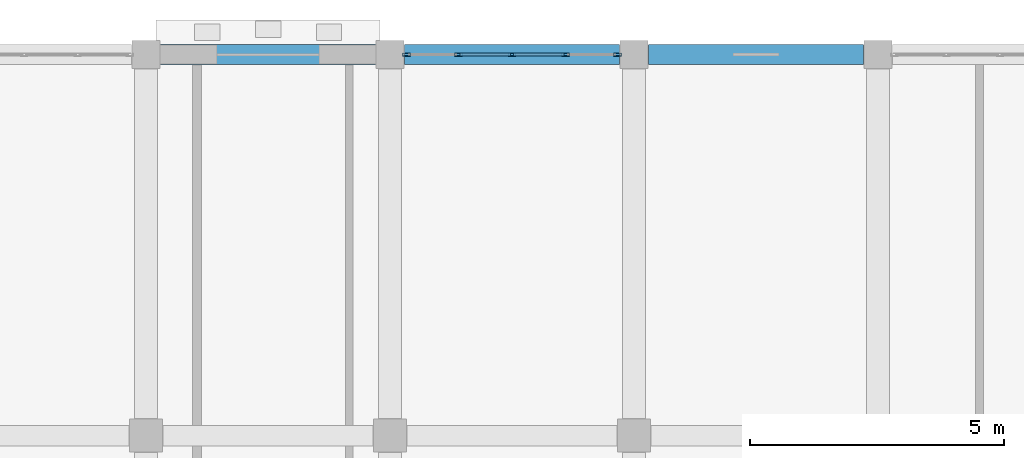
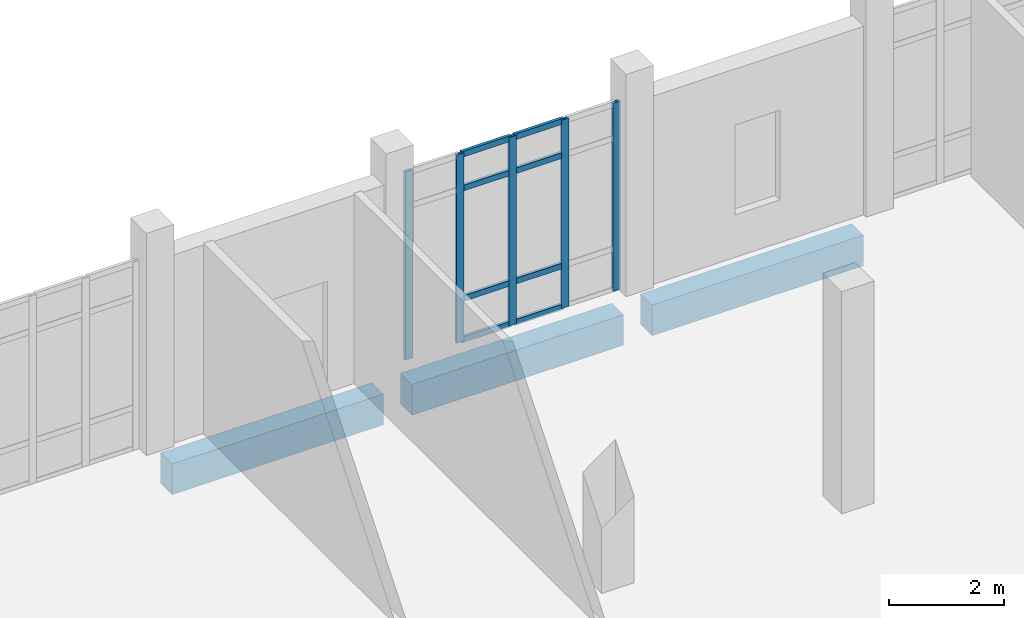
# One storey, part 82 of 173: 13 members, 3 beams, 1 element without a shape of its own.
"""IFC4 building model written with IfcOpenShell, lengths in metres."""

import ifcopenshell
import ifcopenshell.guid

model = None  # the IFC model being written
_history = None  # IfcOwnerHistory: only IFC2X3 demands one
_inside = {}  # id of a spatial element -> (the spatial element, [elements in it])
_under = {}  # id of a project, library or spatial element -> (it, [spatial elements below it])
_declared = {}  # id of a project -> (the project, [libraries it declares])
_typed = {}  # id of a type object -> (the type object, [elements of that type])
_made_of = {}  # id of a material, layer set ... -> (it, [elements and type objects made of it])


def new_model(schema):
    """Start an empty IFC model of exactly this schema.

    Asked for "IFC4X3", IfcOpenShell would pick the latest addendum, in which some entities
    have other attributes; the version numbers below select the first issue.
    IFC2X3 requires an IfcOwnerHistory on every rooted entity: one is made here for all.
    """
    global model, _history
    if schema == "IFC4X3":
        model = ifcopenshell.file(schema_version=(4, 3, 0, 0))
    else:
        model = ifcopenshell.file(schema=schema)
    _inside.clear()
    _under.clear()
    _declared.clear()
    _typed.clear()
    _made_of.clear()
    _history = None
    if model.schema == "IFC2X3":
        org = make("IfcOrganization", Name="unknown")
        user = make(
            "IfcPersonAndOrganization",
            ThePerson=make("IfcPerson", FamilyName="unknown"),
            TheOrganization=org,
        )
        app = make(
            "IfcApplication",
            ApplicationDeveloper=org,
            Version="unknown",
            ApplicationFullName="unknown",
            ApplicationIdentifier="unknown",
        )
        _history = make(
            "IfcOwnerHistory",
            OwningUser=user,
            OwningApplication=app,
            ChangeAction="ADDED",
            CreationDate=0,
        )
    return model


def make(cls, **values):
    """One entity of the class cls with the attributes given. An attribute that is None is left unset."""
    return model.create_entity(
        cls, **{name: value for name, value in values.items() if value is not None}
    )


def rooted(cls, **values):
    """An entity with a GlobalId (a new one), such as an element, a storey or a relation."""
    return make(cls, GlobalId=ifcopenshell.guid.new(), OwnerHistory=_history, **values)


def si_unit(unit_type, name, prefix=None):
    """IfcSIUnit, for example si_unit("LENGTHUNIT", "METRE", prefix="MILLI")."""
    return make("IfcSIUnit", UnitType=unit_type, Prefix=prefix, Name=name)


def assignment(units):
    """IfcUnitAssignment: the units of a project."""
    return None if units is None else make("IfcUnitAssignment", Units=units)


def point(xyz):
    """IfcCartesianPoint."""
    return None if xyz is None else make("IfcCartesianPoint", Coordinates=xyz)


def direction(xyz):
    """IfcDirection."""
    return None if xyz is None else make("IfcDirection", DirectionRatios=xyz)


def frame(location, z_axis=None, x_axis=None):
    """IfcAxis2Placement3D, a coordinate frame: its origin and axes. An axis left out is left unset."""
    return make(
        "IfcAxis2Placement3D",
        Location=point(location),
        Axis=direction(z_axis),
        RefDirection=direction(x_axis),
    )


def frame_2d(location, x_axis=None):
    """IfcAxis2Placement2D, a coordinate frame in the plane: its origin and x axis."""
    return make(
        "IfcAxis2Placement2D", Location=point(location), RefDirection=direction(x_axis)
    )


def origin():
    """The frame at (0, 0, 0) with its axes left unset."""
    return frame((0.0, 0.0, 0.0))


def origin_2d():
    """The frame at (0, 0) in the plane with its x axis left unset."""
    return frame_2d((0.0, 0.0))


def place(relative_to, where):
    """IfcLocalPlacement: puts the frame where relative to a parent placement (None: the world)."""
    return make(
        "IfcLocalPlacement", PlacementRelTo=relative_to, RelativePlacement=where
    )


def context(
    kind, dimensions, precision=None, world=None, true_north=None, identifier=None
):
    """IfcGeometricRepresentationContext, for example the 3D "Model" context."""
    return make(
        "IfcGeometricRepresentationContext",
        ContextIdentifier=identifier,
        ContextType=kind,
        CoordinateSpaceDimension=dimensions,
        Precision=precision,
        WorldCoordinateSystem=world,
        TrueNorth=true_north,
    )


def subcontext(parent, identifier, kind, view, scale=None):
    """IfcGeometricRepresentationSubContext, for example "Body" below "Model"."""
    return make(
        "IfcGeometricRepresentationSubContext",
        ContextIdentifier=identifier,
        ContextType=kind,
        ParentContext=parent,
        TargetScale=scale,
        TargetView=view,
    )


def project(units=None, contexts=None):
    """IfcProject with its units and contexts."""
    return rooted(
        "IfcProject",
        Name="project",
        RepresentationContexts=contexts,
        UnitsInContext=assignment(units),
    )


def spatial(cls, under=None, at=None, **own):
    """A site, building, storey or space (cls), placed at a placement, below another one or the project."""
    s = rooted(cls, ObjectPlacement=at, **own)
    if under is not None:
        _under.setdefault(under.id(), (under, []))[1].append(s)
    return s


def profile(cls, at=None, kind="AREA", **sizes):
    """A parametric profile (cls). Its sizes go by their IFC names, for example OverallWidth=200.0."""
    return make(cls, ProfileType=kind, Position=at, **sizes)


def rectangle(**sizes):
    """IfcRectangleProfileDef."""
    return profile("IfcRectangleProfileDef", **sizes)


def hollow_rectangle(**sizes):
    """IfcRectangleHollowProfileDef."""
    return profile("IfcRectangleHollowProfileDef", **sizes)


def extrude(swept, where, along, depth):
    """IfcExtrudedAreaSolid: the profile swept, set in the frame where, extruded along a direction by depth."""
    return make(
        "IfcExtrudedAreaSolid",
        SweptArea=swept,
        Position=where,
        ExtrudedDirection=direction(along),
        Depth=depth,
    )


def shape(context_of_items, identifier, shape_type, items):
    """IfcShapeRepresentation: the items that make up one representation, for example the "Body"."""
    return make(
        "IfcShapeRepresentation",
        ContextOfItems=context_of_items,
        RepresentationIdentifier=identifier,
        RepresentationType=shape_type,
        Items=items,
    )


def material(Name=None, Category=None):
    """IfcMaterial."""
    return make("IfcMaterial", Name=Name, Category=Category)


def layer(
    of_material, thickness, ventilated=None, Name=None, Category=None, Priority=None
):
    """IfcMaterialLayer: one layer of a wall or slab, of a material (None: an air gap)."""
    return make(
        "IfcMaterialLayer",
        Material=of_material,
        LayerThickness=thickness,
        IsVentilated=ventilated,
        Name=Name,
        Category=Category,
        Priority=Priority,
    )


def layer_set(layers, Name=None):
    """IfcMaterialLayerSet."""
    return make("IfcMaterialLayerSet", MaterialLayers=layers, LayerSetName=Name)


def material_profile(
    of_material, cross_section, Name=None, Category=None, Priority=None
):
    """IfcMaterialProfile: a cross section and its material."""
    return make(
        "IfcMaterialProfile",
        Name=Name,
        Material=of_material,
        Profile=cross_section,
        Priority=Priority,
        Category=Category,
    )


def profile_set(profiles, Name=None, composite=None):
    """IfcMaterialProfileSet."""
    return make(
        "IfcMaterialProfileSet",
        Name=Name,
        MaterialProfiles=profiles,
        CompositeProfile=composite,
    )


def made_of(thing, what):
    """Note that an element or type object is made of a material, layer set ...; save() writes the relation."""
    if what is not None:
        _made_of.setdefault(what.id(), (what, []))[1].append(thing)
    return thing


def type_object(cls, material=None, **own):
    """A type object (cls), such as IfcWallType, which elements share."""
    return made_of(rooted(cls, **own), material)


def element(
    cls,
    number,
    at=None,
    inside=None,
    cuts=None,
    type_object=None,
    material=None,
    context=None,
    identifier="Body",
    shape_type=None,
    held_by="IfcProductDefinitionShape",
    body=None,
    shapes=None,
    **own,
):
    """One element of the class cls, such as IfcWall. Its Tag is "e" and its number.

    at: its placement. inside: the storey or other place that contains it. cuts: it is an
    opening in that element (IfcRelVoidsElement). A single representation is given by context,
    identifier, shape_type and body (its items); several are given by shapes. held_by: the class
    of the entity that holds the representations. save() writes the other relations.
    """
    e = rooted(cls, Tag="e%d" % number, ObjectPlacement=at, **own)
    if body is not None:
        shapes = [shape(context, identifier, shape_type, body)]
    if shapes is not None:
        e.Representation = make(held_by, Representations=shapes)
    if inside is not None:
        _inside.setdefault(inside.id(), (inside, []))[1].append(e)
    if cuts is not None:
        rooted(
            "IfcRelVoidsElement", RelatingBuildingElement=cuts, RelatedOpeningElement=e
        )
    if type_object is not None:
        _typed.setdefault(type_object.id(), (type_object, []))[1].append(e)
    return made_of(e, material)


def aggregate(whole, parts):
    """IfcRelAggregates: a whole, such as a stair, and the parts it consists of."""
    return rooted("IfcRelAggregates", RelatingObject=whole, RelatedObjects=parts)


def save(model, path):
    """Write the relations noted so far, then the file.

    IfcRelAggregates (storeys below a building ...), IfcRelContainedInSpatialStructure (elements
    in a storey), IfcRelDefinesByType, IfcRelAssociatesMaterial and IfcRelDeclares: one each for
    every whole, place, type object, material and project.
    """
    for whole, parts in _under.values():
        aggregate(whole, parts)
    for where, things in _inside.values():
        rooted(
            "IfcRelContainedInSpatialStructure",
            RelatedElements=things,
            RelatingStructure=where,
        )
    for kind, things in _typed.values():
        rooted("IfcRelDefinesByType", RelatedObjects=things, RelatingType=kind)
    for what, things in _made_of.values():
        rooted("IfcRelAssociatesMaterial", RelatedObjects=things, RelatingMaterial=what)
    for by, libraries in _declared.values():
        rooted("IfcRelDeclares", RelatingContext=by, RelatedDefinitions=libraries)
    model.write(path)


model = new_model("IFC4")

# Units and contexts
model_context = context("Model", 3, precision=1e-05, world=origin(), true_north=direction((0.0, 1.0)))
body_context = subcontext(model_context, "Body", "Model", "MODEL_VIEW")
ifc_project = project(units=[si_unit("LENGTHUNIT", "METRE"), si_unit("AREAUNIT", "SQUARE_METRE"), si_unit("VOLUMEUNIT", "CUBIC_METRE"), si_unit("PLANEANGLEUNIT", "RADIAN"), si_unit("MASSUNIT", "GRAM", prefix="KILO")], contexts=[model_context])

# Site, building, storey
site_placement = place(None, origin())
site = spatial("IfcSite", under=ifc_project, at=site_placement, CompositionType="ELEMENT")
building_placement = place(site_placement, origin())
building = spatial("IfcBuilding", under=site, at=building_placement, Name="Mawjan Specialist Oncology Clinic", CompositionType="ELEMENT")
storey_placement = place(building_placement, origin())
storey = spatial("IfcBuildingStorey", under=building, at=storey_placement, Name="L00", CompositionType="ELEMENT", Elevation=0.0)

# Curtain wall, members
ifc_material_1 = material(Name="Unitised spectrally selective aluminium curtain wall", Category="aluminium")
ifc_layer = layer(ifc_material_1, 0.179931640625, Name="Unitised spectrally selective aluminium curtain wall", Category="aluminium")
ifc_layer_set = layer_set([ifc_layer], Name="Unitised spectrally selective aluminium curtain wall")
curtain_wall_type = type_object("IfcCurtainWallType", Name="CW-13", PredefinedType="NOTDEFINED", material=ifc_layer_set)
curtain_wall_placement = place(storey_placement, origin())
curtain_wall = element("IfcCurtainWall", 1, at=curtain_wall_placement, inside=storey, type_object=curtain_wall_type, Name="L00 Unitised Curtain Wall CW-L00-024", PredefinedType="NOTDEFINED")
ifc_material_2 = material(Name="Thermally broken aluminium 6063-T6", Category="aluminium")
ifc_material_profile_1 = material_profile(ifc_material_2, hollow_rectangle(XDim=0.06005859375, YDim=0.14990234375, WallThickness=0.00390625, at=origin_2d()), Name="ALU MULLION 150x60x4", Category="aluminium")
ifc_profile_set_1 = profile_set([ifc_material_profile_1], Name="Thermally broken aluminium 6063-T6")
member_type_1 = type_object("IfcMemberType", Name="CW-M150", PredefinedType="MULLION", material=ifc_profile_set_1)
member_1_placement = place(storey_placement, frame((84.324951171875, 113.300048828125, 0.0), z_axis=(0.0, 0.0, 1.0), x_axis=(0.0, 1.0, 0.0)))
member_1 = element("IfcMember", 2, at=member_1_placement, type_object=member_type_1, Name="CW-13 mullion 1", PredefinedType="MULLION", context=body_context, shape_type="SweptSolid", body=[
    extrude(hollow_rectangle(XDim=0.06005859375, YDim=0.14990234375, WallThickness=0.00390625, at=origin_2d()), origin(), (0.0, 0.0, 1.0), 3.985107421875),
])
member_2_placement = place(storey_placement, frame((85.347412109375, 113.300048828125, 0.0), z_axis=(0.0, 0.0, 1.0), x_axis=(0.0, 1.0, 0.0)))
member_2 = element("IfcMember", 3, at=member_2_placement, type_object=member_type_1, Name="CW-13 mullion 2", PredefinedType="MULLION", context=body_context, shape_type="SweptSolid", body=[
    extrude(hollow_rectangle(XDim=0.06005859375, YDim=0.14990234375, WallThickness=0.00390625, at=origin_2d()), origin(), (0.0, 0.0, 1.0), 3.985107421875),
])
member_3_placement = place(storey_placement, frame((86.39990234375, 113.300048828125, 0.0), z_axis=(0.0, 0.0, 1.0), x_axis=(0.0, 1.0, 0.0)))
member_3 = element("IfcMember", 4, at=member_3_placement, type_object=member_type_1, Name="CW-13 mullion 3", PredefinedType="MULLION", context=body_context, shape_type="SweptSolid", body=[
    extrude(hollow_rectangle(XDim=0.06005859375, YDim=0.14990234375, WallThickness=0.00390625, at=origin_2d()), origin(), (0.0, 0.0, 1.0), 3.985107421875),
])
member_4_placement = place(storey_placement, frame((87.452392578125, 113.300048828125, 0.0), z_axis=(0.0, 0.0, 1.0), x_axis=(0.0, 1.0, 0.0)))
member_4 = element("IfcMember", 5, at=member_4_placement, type_object=member_type_1, Name="CW-13 mullion 4", PredefinedType="MULLION", context=body_context, shape_type="SweptSolid", body=[
    extrude(hollow_rectangle(XDim=0.06005859375, YDim=0.14990234375, WallThickness=0.00390625, at=origin_2d()), origin(), (0.0, 0.0, 1.0), 3.985107421875),
])
member_5_placement = place(storey_placement, frame((88.47509765625, 113.300048828125, 0.0), z_axis=(0.0, 0.0, 1.0), x_axis=(0.0, 1.0, 0.0)))
member_5 = element("IfcMember", 6, at=member_5_placement, type_object=member_type_1, Name="CW-13 mullion 5", PredefinedType="MULLION", context=body_context, shape_type="SweptSolid", body=[
    extrude(hollow_rectangle(XDim=0.06005859375, YDim=0.14990234375, WallThickness=0.00390625, at=origin_2d()), origin(), (0.0, 0.0, 1.0), 3.985107421875),
])
ifc_material_3 = material(Name="Thermally broken aluminium 6063-T6", Category="aluminium")
ifc_material_profile_2 = material_profile(ifc_material_3, hollow_rectangle(XDim=0.06005859375, YDim=0.1201171875, WallThickness=0.00390625, at=origin_2d()), Name="ALU TRANSOM 120x60x4", Category="aluminium")
ifc_profile_set_2 = profile_set([ifc_material_profile_2], Name="Thermally broken aluminium 6063-T6")
member_type_2 = type_object("IfcMemberType", Name="CW-T120", PredefinedType="USERDEFINED", material=ifc_profile_set_2)
member_6_placement = place(storey_placement, frame((85.37744140625, 113.300048828125, 0.030029296875), z_axis=(1.0, 0.0, 0.0), x_axis=(0.0, 1.0, 0.0)))
member_6 = element("IfcMember", 7, at=member_6_placement, type_object=member_type_2, Name="CW-13 transom 2.1", ObjectType="TRANSOM", PredefinedType="USERDEFINED", context=body_context, shape_type="SweptSolid", body=[
    extrude(hollow_rectangle(XDim=0.06005859375, YDim=0.1201171875, WallThickness=0.00390625, at=origin_2d()), origin(), (0.0, 0.0, 1.0), 0.99267578125),
])
member_7_placement = place(storey_placement, frame((85.37744140625, 113.300048828125, 0.89990234375), z_axis=(1.0, 0.0, 0.0), x_axis=(0.0, 1.0, 0.0)))
member_7 = element("IfcMember", 8, at=member_7_placement, type_object=member_type_2, Name="CW-13 transom 2.2", ObjectType="TRANSOM", PredefinedType="USERDEFINED", context=body_context, shape_type="SweptSolid", body=[
    extrude(hollow_rectangle(XDim=0.06005859375, YDim=0.1201171875, WallThickness=0.00390625, at=origin_2d()), origin(), (0.0, 0.0, 1.0), 0.99267578125),
])
member_8_placement = place(storey_placement, frame((85.37744140625, 113.300048828125, 3.235107421875), z_axis=(1.0, 0.0, 0.0), x_axis=(0.0, 1.0, 0.0)))
member_8 = element("IfcMember", 9, at=member_8_placement, type_object=member_type_2, Name="CW-13 transom 2.3", ObjectType="TRANSOM", PredefinedType="USERDEFINED", context=body_context, shape_type="SweptSolid", body=[
    extrude(hollow_rectangle(XDim=0.06005859375, YDim=0.1201171875, WallThickness=0.00390625, at=origin_2d()), origin(), (0.0, 0.0, 1.0), 0.99267578125),
])
member_9_placement = place(storey_placement, frame((85.37744140625, 113.300048828125, 3.955078125), z_axis=(1.0, 0.0, 0.0), x_axis=(0.0, 1.0, 0.0)))
member_9 = element("IfcMember", 10, at=member_9_placement, type_object=member_type_2, Name="CW-13 transom 2.4", ObjectType="TRANSOM", PredefinedType="USERDEFINED", context=body_context, shape_type="SweptSolid", body=[
    extrude(hollow_rectangle(XDim=0.06005859375, YDim=0.1201171875, WallThickness=0.00390625, at=origin_2d()), origin(), (0.0, 0.0, 1.0), 0.99267578125),
])
member_10_placement = place(storey_placement, frame((86.429931640625, 113.300048828125, 0.030029296875), z_axis=(1.0, 0.0, 0.0), x_axis=(0.0, 1.0, 0.0)))
member_10 = element("IfcMember", 11, at=member_10_placement, type_object=member_type_2, Name="CW-13 transom 3.1", ObjectType="TRANSOM", PredefinedType="USERDEFINED", context=body_context, shape_type="SweptSolid", body=[
    extrude(hollow_rectangle(XDim=0.06005859375, YDim=0.1201171875, WallThickness=0.00390625, at=origin_2d()), origin(), (0.0, 0.0, 1.0), 0.99267578125),
])
member_11_placement = place(storey_placement, frame((86.429931640625, 113.300048828125, 0.89990234375), z_axis=(1.0, 0.0, 0.0), x_axis=(0.0, 1.0, 0.0)))
member_11 = element("IfcMember", 12, at=member_11_placement, type_object=member_type_2, Name="CW-13 transom 3.2", ObjectType="TRANSOM", PredefinedType="USERDEFINED", context=body_context, shape_type="SweptSolid", body=[
    extrude(hollow_rectangle(XDim=0.06005859375, YDim=0.1201171875, WallThickness=0.00390625, at=origin_2d()), origin(), (0.0, 0.0, 1.0), 0.99267578125),
])
member_12_placement = place(storey_placement, frame((86.429931640625, 113.300048828125, 3.235107421875), z_axis=(1.0, 0.0, 0.0), x_axis=(0.0, 1.0, 0.0)))
member_12 = element("IfcMember", 13, at=member_12_placement, type_object=member_type_2, Name="CW-13 transom 3.3", ObjectType="TRANSOM", PredefinedType="USERDEFINED", context=body_context, shape_type="SweptSolid", body=[
    extrude(hollow_rectangle(XDim=0.06005859375, YDim=0.1201171875, WallThickness=0.00390625, at=origin_2d()), origin(), (0.0, 0.0, 1.0), 0.99267578125),
])
member_13_placement = place(storey_placement, frame((86.429931640625, 113.300048828125, 3.955078125), z_axis=(1.0, 0.0, 0.0), x_axis=(0.0, 1.0, 0.0)))
member_13 = element("IfcMember", 14, at=member_13_placement, type_object=member_type_2, Name="CW-13 transom 3.4", ObjectType="TRANSOM", PredefinedType="USERDEFINED", context=body_context, shape_type="SweptSolid", body=[
    extrude(hollow_rectangle(XDim=0.06005859375, YDim=0.1201171875, WallThickness=0.00390625, at=origin_2d()), origin(), (0.0, 0.0, 1.0), 0.99267578125),
])
aggregate(curtain_wall, [member_1, member_2, member_3, member_4, member_5, member_6, member_7, member_8, member_9, member_10, member_11, member_12, member_13])

# Beams
ifc_material_4 = material(Name="Concrete C45/55", Category="concrete")
ifc_material_profile_3 = material_profile(ifc_material_4, rectangle(XDim=0.39990234375, YDim=0.64990234375, at=origin_2d()), Name="RC BM 400x650", Category="concrete")
ifc_profile_set_3 = profile_set([ifc_material_profile_3], Name="Concrete C45/55")
beam_type = type_object("IfcBeamType", Name="SP-400x650", PredefinedType="SPANDREL", material=ifc_profile_set_3)
for number, where, z_axis, x_axis, name in (
    (15, (79.485107421875, 113.300048828125, -0.7451171875), (1.0, 0.0, 0.0), (0.0, 1.0, 0.0), "L00 Spandrel Beam BM-L00-0108"),
    (16, (84.284912109375, 113.300048828125, -0.7451171875), (1.0, 0.0, 0.0), (0.0, 1.0, 0.0), "L00 Spandrel Beam BM-L00-0109"),
    (17, (89.0849609375, 113.300048828125, -0.7451171875), (1.0, 0.0, 0.0), (0.0, 1.0, 0.0), "L00 Spandrel Beam BM-L00-0110"),
):
    element("IfcBeam", number, at=place(storey_placement, frame(where, z_axis=z_axis, x_axis=x_axis)), inside=storey, type_object=beam_type, Name=name, PredefinedType="SPANDREL", context=body_context, shape_type="SweptSolid", body=[
        extrude(rectangle(XDim=0.39990234375, YDim=0.64990234375, at=origin_2d()), origin(), (0.0, 0.0, 1.0), 4.22998046875),
    ])

save(model, "model.ifc")
